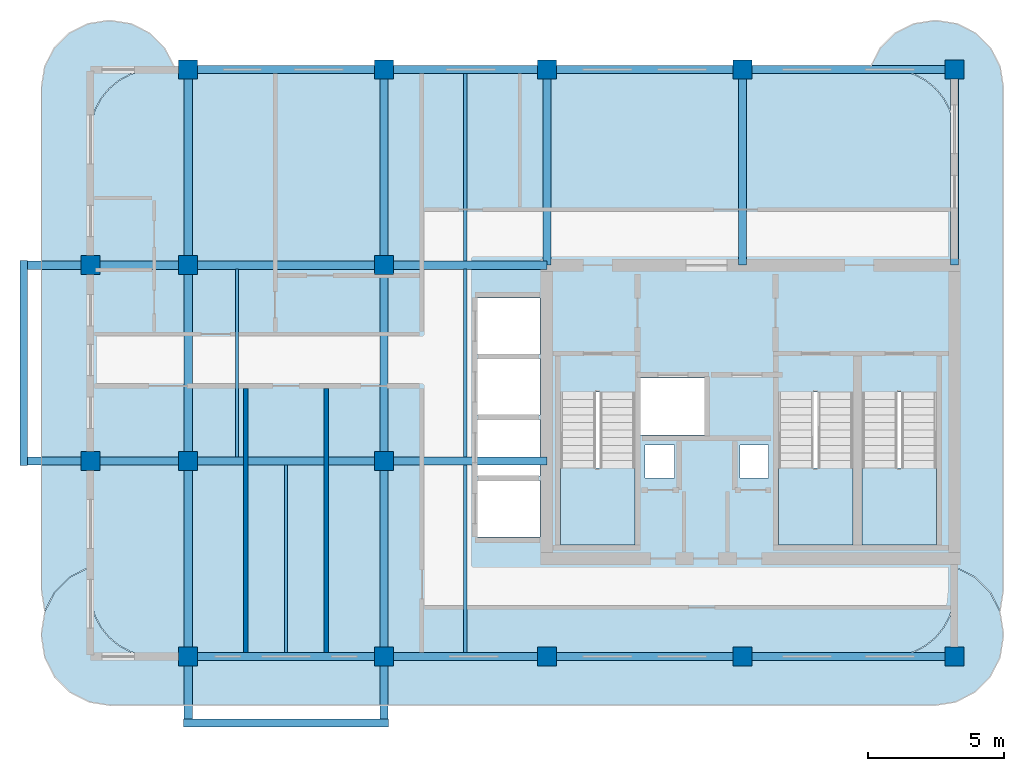
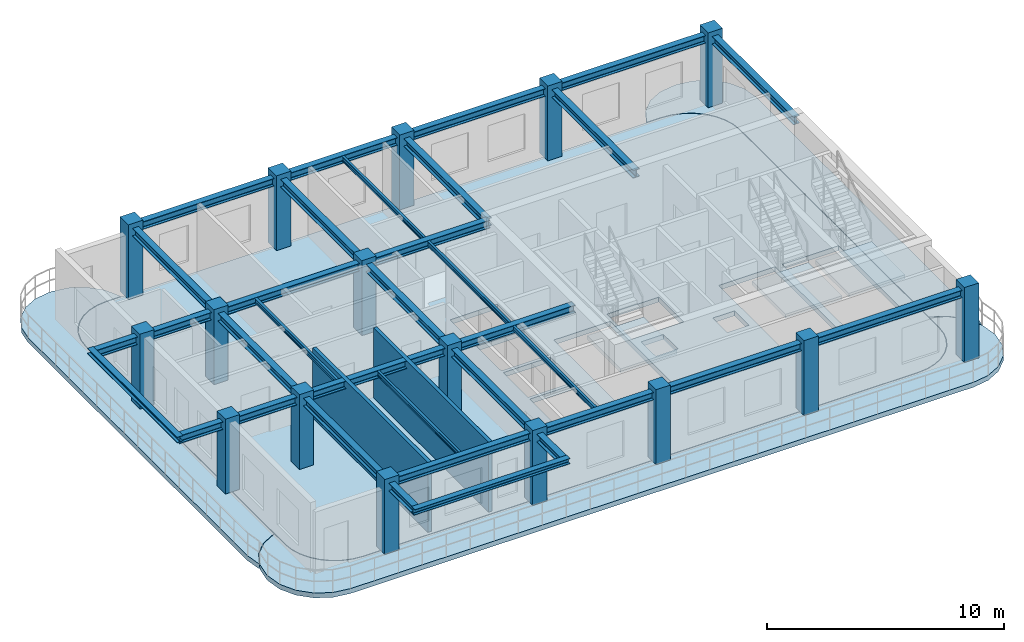
# One storey, part 1 of 7: 28 beams, 16 columns, 7 slabs, 2 walls, 3 elements without a shape of their own.
"""IFC4 building model written with IfcOpenShell, lengths in metres."""

from ifc_helpers import new_model, si_unit, derived_unit, direction, frame, frame_2d, origin, origin_2d, place, context, subcontext, project, spatial, polyline, rectangle, i_section, outline, extrude, source, transform, mapped, material, layer, layer_set, material_profile, profile_set, type_object, type_shapes, element, aggregate, save


model = new_model("IFC4")

# Units and contexts
model_context = context("Model", 3, precision=1e-05, world=origin(), true_north=direction((0.0, 1.0)))
body_context = subcontext(model_context, "Body", "Model", "MODEL_VIEW")
ifc_project = project(units=[si_unit("LENGTHUNIT", "METRE"), si_unit("AREAUNIT", "SQUARE_METRE"), si_unit("VOLUMEUNIT", "CUBIC_METRE"), si_unit("PLANEANGLEUNIT", "RADIAN"), si_unit("MASSUNIT", "GRAM", prefix="KILO"), si_unit("THERMODYNAMICTEMPERATUREUNIT", "KELVIN"), si_unit("POWERUNIT", "WATT"), derived_unit("THERMALTRANSMITTANCEUNIT", [(si_unit("POWERUNIT", "WATT"), 1), (si_unit("AREAUNIT", "SQUARE_METRE"), -1), (si_unit("THERMODYNAMICTEMPERATUREUNIT", "KELVIN"), -1)])], contexts=[model_context])

# Site, building, storey
site_placement = place(None, origin())
site = spatial("IfcSite", under=ifc_project, at=site_placement, CompositionType="ELEMENT")
building_placement = place(site_placement, origin())
building = spatial("IfcBuilding", under=site, at=building_placement, Name="Zahravan Archway Hotel and Residences", CompositionType="ELEMENT")
storey_placement = place(building_placement, frame((0.0, 0.0, 282.75)))
storey = spatial("IfcBuildingStorey", under=building, at=storey_placement, Name="L71", CompositionType="ELEMENT", Elevation=282.75)

# Columns
ifc_material_1 = material(Name="Concrete C50/60", Category="concrete")
ifc_material_profile_1 = material_profile(ifc_material_1, rectangle(XDim=0.699951171875, YDim=0.699951171875, at=origin_2d()), Name="RC-COL-700x700", Category="concrete")
ifc_profile_set_1 = profile_set([ifc_material_profile_1], Name="Concrete C50/60")
column_type = type_object("IfcColumnType", Name="COL-RC-700", PredefinedType="COLUMN", material=ifc_profile_set_1)
shared_shape_1 = source(origin(), body_context, "Body", "SweptSolid", [
    extrude(rectangle(XDim=0.699951171875, YDim=0.699951171875, at=origin_2d()), origin(), (0.0, 0.0, 1.0), 3.85009765625),
])
for number, where, z_axis, x_axis, name in (
    (1, (21.60009765625, 0.0, 0.0), (0.0, 0.0, 1.0), (1.0, 0.0, 0.0), "L71 Column 4-A"),
    (2, (21.60009765625, 7.199951171875, 0.0), (0.0, 0.0, 1.0), (1.0, 0.0, 0.0), "L71 Column 4-B"),
    (3, (21.60009765625, 14.39990234375, 0.0), (0.0, 0.0, 1.0), (1.0, 0.0, 0.0), "L71 Column 4-C"),
    (4, (21.60009765625, 21.60009765625, 0.0), (0.0, 0.0, 1.0), (1.0, 0.0, 0.0), "L71 Column 4-D"),
    (5, (28.800048828125, 0.0, 0.0), (0.0, 0.0, 1.0), (1.0, 0.0, 0.0), "L71 Column 5-A"),
    (6, (28.800048828125, 7.199951171875, 0.0), (0.0, 0.0, 1.0), (1.0, 0.0, 0.0), "L71 Column 5-B"),
    (7, (28.800048828125, 14.39990234375, 0.0), (0.0, 0.0, 1.0), (1.0, 0.0, 0.0), "L71 Column 5-C"),
    (8, (28.800048828125, 21.60009765625, 0.0), (0.0, 0.0, 1.0), (1.0, 0.0, 0.0), "L71 Column 5-D"),
    (9, (34.800048828125, 0.0, 0.0), (0.0, 0.0, 1.0), (1.0, 0.0, 0.0), "L71 Column 6-A"),
    (10, (34.800048828125, 21.60009765625, 0.0), (0.0, 0.0, 1.0), (1.0, 0.0, 0.0), "L71 Column 6-D"),
    (11, (42.0, 0.0, 0.0), (0.0, 0.0, 1.0), (1.0, 0.0, 0.0), "L71 Column 7-A"),
    (12, (42.0, 21.60009765625, 0.0), (0.0, 0.0, 1.0), (1.0, 0.0, 0.0), "L71 Column 7-D"),
    (13, (49.800048828125, 0.0, 0.0), (0.0, 0.0, 1.0), (1.0, 0.0, 0.0), "L71 Column 8-A"),
    (14, (49.800048828125, 21.60009765625, 0.0), (0.0, 0.0, 1.0), (1.0, 0.0, 0.0), "L71 Column 8-D"),
    (15, (18.0, 7.199951171875, 0.0), (0.0, 0.0, 1.0), (1.0, 0.0, 0.0), "L71 Column 3W-B"),
    (16, (18.0, 14.39990234375, 0.0), (0.0, 0.0, 1.0), (1.0, 0.0, 0.0), "L71 Column 3W-C"),
):
    element("IfcColumn", number, at=place(storey_placement, frame(where, z_axis=z_axis, x_axis=x_axis)), inside=storey, type_object=column_type, Name=name, PredefinedType="COLUMN", context=body_context, shape_type="MappedRepresentation", body=[
        mapped(shared_shape_1, transform((0.0, 0.0, 0.0), scale=1.0)),
    ])

# Beams
ifc_material_2 = material(Name="Structural Steel S355JR", Category="steel")
ifc_material_profile_2 = material_profile(ifc_material_2, i_section(OverallWidth=0.280029296875, OverallDepth=0.280029296875, WebThickness=0.010498046875, FlangeThickness=0.01806640625, FilletRadius=0.02392578125, at=origin_2d()), Name="HEB 280", Category="steel")
ifc_profile_set_2 = profile_set([ifc_material_profile_2], Name="Structural Steel S355JR")
beam_type_1 = type_object("IfcBeamType", Name="BM-SPN-HEB280", PredefinedType="SPANDREL", material=ifc_profile_set_2)
shared_shape_2 = source(origin(), body_context, "Body", "SweptSolid", [
    extrude(i_section(OverallWidth=0.280029296875, OverallDepth=0.280029296875, WebThickness=0.010498046875, FlangeThickness=0.01806640625, FilletRadius=0.02392578125, at=origin_2d()), origin(), (0.0, 0.0, 1.0), 7.56005859375),
])
type_shapes(beam_type_1, [shared_shape_2])
for number, where, z_axis, x_axis, name in (
    (17, (15.550048828125, 7.02001953125, 3.4599609375), (0.0, 1.0, 0.0), (-1.0, 0.0, 0.0), "L72 WA Balcony Edge Spandrel"),
    (18, (21.419921875, -2.449951171875, 3.4599609375), (1.0, 0.0, 0.0), (0.0, 1.0, 0.0), "L72 SA Balcony Edge Spandrel"),
):
    element("IfcBeam", number, at=place(storey_placement, frame(where, z_axis=z_axis, x_axis=x_axis)), inside=storey, type_object=beam_type_1, Name=name, PredefinedType="SPANDREL", context=body_context, shape_type="MappedRepresentation", body=[
        mapped(shared_shape_2, transform((0.0, 0.0, 0.0), scale=1.0)),
    ])
ifc_material_profile_3 = material_profile(ifc_material_2, i_section(OverallWidth=0.300048828125, OverallDepth=0.39990234375, WebThickness=0.013427734375, FlangeThickness=0.02392578125, FilletRadius=0.027099609375, at=origin_2d()), Name="HEB 400", Category="steel")
ifc_profile_set_3 = profile_set([ifc_material_profile_3], Name="Structural Steel S355JR")
beam_type_2 = type_object("IfcBeamType", Name="BM-PRI-HEB400", PredefinedType="BEAM", material=ifc_profile_set_3)
shared_shape_3 = source(origin(), body_context, "Body", "SweptSolid", [
    extrude(i_section(OverallWidth=0.300048828125, OverallDepth=0.39990234375, WebThickness=0.013427734375, FlangeThickness=0.02392578125, FilletRadius=0.027099609375, at=origin_2d()), origin(), (0.0, 0.0, 1.0), 7.199951171875),
])
type_shapes(beam_type_2, [shared_shape_3])
for number, where, z_axis, x_axis, name in (
    (19, (21.60009765625, 0.0, 3.39990234375), (1.0, 0.0, 0.0), (0.0, 1.0, 0.0), "L71 Primary Girder EW-01"),
    (20, (34.800048828125, 0.0, 3.39990234375), (1.0, 0.0, 0.0), (0.0, 1.0, 0.0), "L71 Primary Girder EW-03"),
    (21, (21.60009765625, 21.60009765625, 3.39990234375), (1.0, 0.0, 0.0), (0.0, 1.0, 0.0), "L71 Primary Girder EW-09"),
    (22, (34.800048828125, 21.60009765625, 3.39990234375), (1.0, 0.0, 0.0), (0.0, 1.0, 0.0), "L71 Primary Girder EW-11"),
    (23, (21.60009765625, 7.199951171875, 3.39990234375), (0.0, 1.0, 0.0), (-1.0, 0.0, 0.0), "L71 Primary Girder NS-14"),
    (24, (28.800048828125, 7.199951171875, 3.39990234375), (0.0, 1.0, 0.0), (-1.0, 0.0, 0.0), "L71 Primary Girder NS-17"),
):
    element("IfcBeam", number, at=place(storey_placement, frame(where, z_axis=z_axis, x_axis=x_axis)), inside=storey, type_object=beam_type_2, Name=name, PredefinedType="BEAM", context=body_context, shape_type="MappedRepresentation", body=[
        mapped(shared_shape_3, transform((0.0, 0.0, 0.0), scale=1.0)),
    ])
shared_shape_4 = source(origin(), body_context, "Body", "SweptSolid", [
    extrude(i_section(OverallWidth=0.300048828125, OverallDepth=0.39990234375, WebThickness=0.013427734375, FlangeThickness=0.02392578125, FilletRadius=0.027099609375, at=origin_2d()), origin(), (0.0, 0.0, 1.0), 6.0),
])
for number, where, z_axis, x_axis, name in (
    (25, (28.800048828125, 0.0, 3.39990234375), (1.0, 0.0, 0.0), (0.0, 1.0, 0.0), "L71 Primary Girder EW-02"),
    (26, (28.800048828125, 7.199951171875, 3.39990234375), (1.0, 0.0, 0.0), (0.0, 1.0, 0.0), "L71 Primary Girder EW-06"),
    (27, (28.800048828125, 14.39990234375, 3.39990234375), (1.0, 0.0, 0.0), (0.0, 1.0, 0.0), "L71 Primary Girder EW-08"),
    (28, (28.800048828125, 21.60009765625, 3.39990234375), (1.0, 0.0, 0.0), (0.0, 1.0, 0.0), "L71 Primary Girder EW-10"),
):
    element("IfcBeam", number, at=place(storey_placement, frame(where, z_axis=z_axis, x_axis=x_axis)), inside=storey, type_object=beam_type_2, Name=name, PredefinedType="BEAM", context=body_context, shape_type="MappedRepresentation", body=[
        mapped(shared_shape_4, transform((0.0, 0.0, 0.0), scale=1.0)),
    ])
shared_shape_5 = source(origin(), body_context, "Body", "SweptSolid", [
    extrude(i_section(OverallWidth=0.300048828125, OverallDepth=0.39990234375, WebThickness=0.013427734375, FlangeThickness=0.02392578125, FilletRadius=0.027099609375, at=origin_2d()), origin(), (0.0, 0.0, 1.0), 7.800048828125),
])
for number, where, z_axis, x_axis, name in (
    (29, (42.0, 0.0, 3.39990234375), (1.0, 0.0, 0.0), (0.0, 1.0, 0.0), "L71 Primary Girder EW-04"),
    (30, (42.0, 21.60009765625, 3.39990234375), (1.0, 0.0, 0.0), (0.0, 1.0, 0.0), "L71 Primary Girder EW-12"),
):
    element("IfcBeam", number, at=place(storey_placement, frame(where, z_axis=z_axis, x_axis=x_axis)), inside=storey, type_object=beam_type_2, Name=name, PredefinedType="BEAM", context=body_context, shape_type="MappedRepresentation", body=[
        mapped(shared_shape_5, transform((0.0, 0.0, 0.0), scale=1.0)),
    ])
shared_shape_6 = source(origin(), body_context, "Body", "SweptSolid", [
    extrude(i_section(OverallWidth=0.300048828125, OverallDepth=0.39990234375, WebThickness=0.013427734375, FlangeThickness=0.02392578125, FilletRadius=0.027099609375, at=origin_2d()), origin(), (0.0, 0.0, 1.0), 13.25),
])
for number, where, z_axis, x_axis, name in (
    (31, (15.550048828125, 7.199951171875, 3.39990234375), (1.0, 0.0, 0.0), (0.0, 1.0, 0.0), "L71 Primary Girder EW-05"),
    (32, (15.550048828125, 14.39990234375, 3.39990234375), (1.0, 0.0, 0.0), (0.0, 1.0, 0.0), "L71 Primary Girder EW-07"),
):
    element("IfcBeam", number, at=place(storey_placement, frame(where, z_axis=z_axis, x_axis=x_axis)), inside=storey, type_object=beam_type_2, Name=name, PredefinedType="BEAM", context=body_context, shape_type="MappedRepresentation", body=[
        mapped(shared_shape_6, transform((0.0, 0.0, 0.0), scale=1.0)),
    ])
shared_shape_7 = source(origin(), body_context, "Body", "SweptSolid", [
    extrude(i_section(OverallWidth=0.300048828125, OverallDepth=0.39990234375, WebThickness=0.013427734375, FlangeThickness=0.02392578125, FilletRadius=0.027099609375, at=origin_2d()), origin(), (0.0, 0.0, 1.0), 9.64990234375),
])
for number, where, z_axis, x_axis, name in (
    (33, (21.60009765625, -2.449951171875, 3.39990234375), (0.0, 1.0, 0.0), (-1.0, 0.0, 0.0), "L71 Primary Girder NS-13"),
    (34, (28.800048828125, -2.449951171875, 3.39990234375), (0.0, 1.0, 0.0), (-1.0, 0.0, 0.0), "L71 Primary Girder NS-16"),
):
    element("IfcBeam", number, at=place(storey_placement, frame(where, z_axis=z_axis, x_axis=x_axis)), inside=storey, type_object=beam_type_2, Name=name, PredefinedType="BEAM", context=body_context, shape_type="MappedRepresentation", body=[
        mapped(shared_shape_7, transform((0.0, 0.0, 0.0), scale=1.0)),
    ])
shared_shape_8 = source(origin(), body_context, "Body", "SweptSolid", [
    extrude(i_section(OverallWidth=0.300048828125, OverallDepth=0.39990234375, WebThickness=0.013427734375, FlangeThickness=0.02392578125, FilletRadius=0.027099609375, at=origin_2d()), origin(), (0.0, 0.0, 1.0), 7.2001953125),
])
for number, where, z_axis, x_axis, name in (
    (35, (21.60009765625, 14.39990234375, 3.39990234375), (0.0, 1.0, 0.0), (-1.0, 0.0, 0.0), "L71 Primary Girder NS-15"),
    (36, (28.800048828125, 14.39990234375, 3.39990234375), (0.0, 1.0, 0.0), (-1.0, 0.0, 0.0), "L71 Primary Girder NS-18"),
    (37, (34.800048828125, 14.39990234375, 3.39990234375), (0.0, 1.0, 0.0), (-1.0, 0.0, 0.0), "L71 Primary Girder NS-19"),
    (38, (42.0, 14.39990234375, 3.39990234375), (0.0, 1.0, 0.0), (-1.0, 0.0, 0.0), "L71 Primary Girder NS-20"),
    (39, (49.800048828125, 14.39990234375, 3.39990234375), (0.0, 1.0, 0.0), (-1.0, 0.0, 0.0), "L71 Primary Girder NS-21"),
):
    element("IfcBeam", number, at=place(storey_placement, frame(where, z_axis=z_axis, x_axis=x_axis)), inside=storey, type_object=beam_type_2, Name=name, PredefinedType="BEAM", context=body_context, shape_type="MappedRepresentation", body=[
        mapped(shared_shape_8, transform((0.0, 0.0, 0.0), scale=1.0)),
    ])
ifc_material_profile_4 = material_profile(ifc_material_2, i_section(OverallWidth=0.1201171875, OverallDepth=0.239990234375, WebThickness=0.006103515625, FlangeThickness=0.009765625, FilletRadius=0.014892578125, at=origin_2d()), Name="IPE 240", Category="steel")
ifc_profile_set_4 = profile_set([ifc_material_profile_4], Name="Structural Steel S355JR")
beam_type_3 = type_object("IfcBeamType", Name="BM-JST-IPE240", PredefinedType="JOIST", material=ifc_profile_set_4)
shared_shape_9 = source(origin(), body_context, "Body", "SweptSolid", [
    extrude(i_section(OverallWidth=0.1201171875, OverallDepth=0.239990234375, WebThickness=0.006103515625, FlangeThickness=0.009765625, FilletRadius=0.014892578125, at=origin_2d()), origin(), (0.0, 0.0, 1.0), 6.904052734375),
])
type_shapes(beam_type_3, [shared_shape_9])
for number, where, z_axis, x_axis, name in (
    (40, (25.199951171875, 0.14794921875, 3.47998046875), (0.0, 1.0, 0.0), (-1.0, 0.0, 0.0), "L71 Composite Floor Joist 01"),
    (41, (31.800048828125, 0.14794921875, 3.47998046875), (0.0, 1.0, 0.0), (-1.0, 0.0, 0.0), "L71 Composite Floor Joist 02"),
    (42, (23.39990234375, 7.347900390625, 3.47998046875), (0.0, 1.0, 0.0), (-1.0, 0.0, 0.0), "L71 Composite Floor Joist 03"),
    (43, (31.800048828125, 7.347900390625, 3.47998046875), (0.0, 1.0, 0.0), (-1.0, 0.0, 0.0), "L71 Composite Floor Joist 04"),
):
    element("IfcBeam", number, at=place(storey_placement, frame(where, z_axis=z_axis, x_axis=x_axis)), inside=storey, type_object=beam_type_3, Name=name, PredefinedType="JOIST", context=body_context, shape_type="MappedRepresentation", body=[
        mapped(shared_shape_9, transform((0.0, 0.0, 0.0), scale=1.0)),
    ])
shared_shape_10 = source(origin(), body_context, "Body", "SweptSolid", [
    extrude(i_section(OverallWidth=0.1201171875, OverallDepth=0.239990234375, WebThickness=0.006103515625, FlangeThickness=0.009765625, FilletRadius=0.014892578125, at=origin_2d()), origin(), (0.0, 0.0, 1.0), 6.90380859375),
])
beam_placement = place(storey_placement, frame((31.800048828125, 14.548095703125, 3.47998046875), z_axis=(0.0, 1.0, 0.0), x_axis=(-1.0, 0.0, 0.0)))
element("IfcBeam", 44, at=beam_placement, inside=storey, type_object=beam_type_3, Name="L71 Composite Floor Joist 05", PredefinedType="JOIST", context=body_context, shape_type="MappedRepresentation", body=[
    mapped(shared_shape_10, transform((0.0, 0.0, 0.0), scale=1.0)),
])

# Slabs
ifc_material_3 = material(Name="Concrete C45/55", Category="concrete")
ifc_layer_1 = layer(ifc_material_3, 0.25, Name="Concrete C45/55", Category="concrete")
ifc_layer_set_1 = layer_set([ifc_layer_1], Name="Concrete C45/55")
slab_type_1 = type_object("IfcSlabType", Name="SLB-BALC-250", PredefinedType="FLOOR", material=ifc_layer_set_1)
slab_1_placement = place(storey_placement, frame((0.0, 0.0, -0.25)))
element("IfcSlab", 45, at=slab_1_placement, inside=storey, type_object=slab_type_1, Name="L71 Wing A South Rounded Balcony Band", PredefinedType="FLOOR", context=body_context, shape_type="SweptSolid", body=[
    extrude(outline(polyline([(49.837890625, 3.275146484375), (50.548828125, 2.9130859375), (51.113037109375, 2.348876953125), (51.47509765625, 1.637939453125), (51.60009765625, 0.85009765625), (51.60009765625, 0.75), (51.47509765625, -0.0380859375), (51.113037109375, -0.748779296875), (50.548828125, -1.31298828125), (49.837890625, -1.67529296875), (49.050048828125, -1.800048828125), (18.75, -1.800048828125), (17.9619140625, -1.67529296875), (17.251220703125, -1.31298828125), (16.68701171875, -0.748779296875), (16.32470703125, -0.0380859375), (16.199951171875, 0.75), (16.199951171875, 0.85009765625), (16.32470703125, 1.637939453125), (16.68701171875, 2.348876953125), (17.251220703125, 2.9130859375), (17.9619140625, 3.275146484375), (17.97998046875, 3.278076171875), (17.97998046875, 2.39990234375), (17.97998046875, 2.39794921875), (18.026123046875, 1.9296875), (18.026611328125, 1.927978515625), (18.027099609375, 1.926025390625), (18.16357421875, 1.475830078125), (18.164306640625, 1.473876953125), (18.1650390625, 1.47216796875), (18.386962890625, 1.05712890625), (18.387939453125, 1.055419921875), (18.388916015625, 1.053955078125), (18.6875, 0.690185546875), (18.688720703125, 0.688720703125), (18.690185546875, 0.6875), (19.053955078125, 0.388916015625), (19.055419921875, 0.387939453125), (19.05712890625, 0.386962890625), (19.47216796875, 0.1650390625), (19.473876953125, 0.164306640625), (19.475830078125, 0.16357421875), (19.926025390625, 0.027099609375), (19.927978515625, 0.026611328125), (19.9296875, 0.026123046875), (20.39794921875, -0.02001953125), (20.39990234375, -0.02001953125), (47.39990234375, -0.02001953125), (47.402099609375, -0.02001953125), (47.8701171875, 0.026123046875), (47.8720703125, 0.026611328125), (47.8740234375, 0.027099609375), (48.32421875, 0.16357421875), (48.326171875, 0.164306640625), (48.327880859375, 0.1650390625), (48.742919921875, 0.386962890625), (48.744384765625, 0.387939453125), (48.74609375, 0.388916015625), (49.10986328125, 0.6875), (49.111083984375, 0.688720703125), (49.112548828125, 0.690185546875), (49.410888671875, 1.053955078125), (49.412109375, 1.055419921875), (49.4130859375, 1.05712890625), (49.635009765625, 1.47216796875), (49.6357421875, 1.473876953125), (49.636474609375, 1.475830078125), (49.77294921875, 1.926025390625), (49.7734375, 1.927978515625), (49.773681640625, 1.9296875), (49.81982421875, 2.39794921875), (49.820068359375, 2.39990234375), (49.820068359375, 3.278076171875), (49.837890625, 3.275146484375)])), origin(), (0.0, 0.0, 1.0), 0.25),
])
slab_2_placement = place(storey_placement, frame((0.0, 0.0, -0.25)))
element("IfcSlab", 46, at=slab_2_placement, inside=storey, type_object=slab_type_1, Name="L71 Wing A East Rounded Balcony Band", PredefinedType="FLOOR", context=body_context, shape_type="SweptSolid", body=[
    extrude(outline(polyline([(46.719970703125, 21.70703125), (47.06787109375, 22.39013671875), (47.60986328125, 22.93212890625), (48.29296875, 23.280029296875), (49.050048828125, 23.39990234375), (49.14990234375, 23.39990234375), (49.906982421875, 23.280029296875), (50.590087890625, 22.93212890625), (51.132080078125, 22.39013671875), (51.47998046875, 21.70703125), (51.60009765625, 20.949951171875), (51.60009765625, 2.449951171875), (51.47998046875, 1.69287109375), (51.474853515625, 1.6826171875), (51.130859375, 2.35791015625), (51.1298828125, 2.35986328125), (51.12841796875, 2.361572265625), (51.127197265625, 2.363037109375), (50.56298828125, 2.927001953125), (50.5615234375, 2.928466796875), (50.559814453125, 2.9296875), (50.55810546875, 2.930908203125), (49.84716796875, 3.29296875), (49.84521484375, 3.2939453125), (49.84326171875, 3.29443359375), (49.841064453125, 3.294921875), (49.822998046875, 3.2978515625), (49.8212890625, 3.298095703125), (49.820068359375, 3.298095703125), (49.820068359375, 19.199951171875), (49.81982421875, 19.201904296875), (49.773681640625, 19.670166015625), (49.7734375, 19.672119140625), (49.77294921875, 19.674072265625), (49.636474609375, 20.124267578125), (49.6357421875, 20.126220703125), (49.635009765625, 20.127685546875), (49.4130859375, 20.542724609375), (49.412109375, 20.54443359375), (49.410888671875, 20.546142578125), (49.112548828125, 20.909912109375), (49.111083984375, 20.9111328125), (49.10986328125, 20.91259765625), (48.74609375, 21.2109375), (48.744384765625, 21.212158203125), (48.742919921875, 21.213134765625), (48.327880859375, 21.434814453125), (48.326171875, 21.435791015625), (48.32421875, 21.436279296875), (47.8740234375, 21.572998046875), (47.8720703125, 21.573486328125), (47.8701171875, 21.57373046875), (47.402099609375, 21.619873046875), (47.39990234375, 21.6201171875), (46.7060546875, 21.6201171875), (46.719970703125, 21.70703125)])), origin(), (0.0, 0.0, 1.0), 0.25),
])
slab_3_placement = place(storey_placement, frame((0.0, 0.0, -0.25)))
element("IfcSlab", 47, at=slab_3_placement, inside=storey, type_object=slab_type_1, Name="L71 Wing A West Rounded Balcony Band", PredefinedType="FLOOR", context=body_context, shape_type="SweptSolid", body=[
    extrude(outline(polyline([(16.31982421875, 1.69287109375), (16.199951171875, 2.449951171875), (16.199951171875, 20.949951171875), (16.31982421875, 21.70703125), (16.66796875, 22.39013671875), (17.2099609375, 22.93212890625), (17.892822265625, 23.280029296875), (18.64990234375, 23.39990234375), (18.75, 23.39990234375), (19.507080078125, 23.280029296875), (20.190185546875, 22.93212890625), (20.732177734375, 22.39013671875), (21.080078125, 21.70703125), (21.093994140625, 21.6201171875), (20.39990234375, 21.6201171875), (20.39794921875, 21.619873046875), (19.9296875, 21.57373046875), (19.927978515625, 21.573486328125), (19.926025390625, 21.572998046875), (19.475830078125, 21.436279296875), (19.473876953125, 21.435791015625), (19.47216796875, 21.434814453125), (19.05712890625, 21.213134765625), (19.055419921875, 21.212158203125), (19.053955078125, 21.2109375), (18.690185546875, 20.91259765625), (18.688720703125, 20.9111328125), (18.6875, 20.909912109375), (18.388916015625, 20.546142578125), (18.387939453125, 20.54443359375), (18.386962890625, 20.542724609375), (18.1650390625, 20.127685546875), (18.164306640625, 20.126220703125), (18.16357421875, 20.124267578125), (18.027099609375, 19.674072265625), (18.026611328125, 19.672119140625), (18.026123046875, 19.670166015625), (17.97998046875, 19.201904296875), (17.97998046875, 19.199951171875), (17.97998046875, 3.298095703125), (17.978759765625, 3.298095703125), (17.976806640625, 3.2978515625), (17.958984375, 3.294921875), (17.956787109375, 3.29443359375), (17.954833984375, 3.2939453125), (17.952880859375, 3.29296875), (17.241943359375, 2.930908203125), (17.240234375, 2.9296875), (17.238525390625, 2.928466796875), (17.237060546875, 2.927001953125), (16.6728515625, 2.363037109375), (16.67138671875, 2.361572265625), (16.670166015625, 2.35986328125), (16.669189453125, 2.35791015625), (16.3251953125, 1.6826171875), (16.31982421875, 1.69287109375)])), origin(), (0.0, 0.0, 1.0), 0.25),
])
ifc_layer_2 = layer(ifc_material_3, 0.25, Name="Concrete C45/55", Category="concrete")
ifc_layer_set_2 = layer_set([ifc_layer_2], Name="Concrete C45/55")
slab_type_2 = type_object("IfcSlabType", Name="SLB-FLR-250", PredefinedType="FLOOR", material=ifc_layer_set_2)
slab_4_placement = place(storey_placement, frame((0.0, 0.0, -0.25)))
element("IfcSlab", 48, at=slab_4_placement, inside=storey, type_object=slab_type_2, Name="L71 Floor Slab WA", PredefinedType="FLOOR", context=body_context, shape_type="SweptSolid", body=[
    extrude(outline(polyline([(47.39990234375, 0.0), (47.8681640625, 0.046142578125), (48.318359375, 0.1826171875), (48.7333984375, 0.404541015625), (49.09716796875, 0.702880859375), (49.3955078125, 1.066650390625), (49.6171875, 1.481689453125), (49.75390625, 1.931884765625), (49.800048828125, 2.39990234375), (49.800048828125, 19.199951171875), (49.75390625, 19.668212890625), (49.6171875, 20.118408203125), (49.3955078125, 20.533447265625), (49.09716796875, 20.897216796875), (48.7333984375, 21.195556640625), (48.318359375, 21.417236328125), (47.8681640625, 21.553955078125), (47.39990234375, 21.60009765625), (20.39990234375, 21.60009765625), (19.931884765625, 21.553955078125), (19.481689453125, 21.417236328125), (19.066650390625, 21.195556640625), (18.702880859375, 20.897216796875), (18.404541015625, 20.533447265625), (18.1826171875, 20.118408203125), (18.046142578125, 19.668212890625), (18.0, 19.199951171875), (18.0, 2.39990234375), (18.046142578125, 1.931884765625), (18.1826171875, 1.481689453125), (18.404541015625, 1.066650390625), (18.702880859375, 0.702880859375), (19.066650390625, 0.404541015625), (19.481689453125, 0.1826171875), (19.931884765625, 0.046142578125), (20.39990234375, 0.0), (47.39990234375, 0.0)]), holes=[polyline([(35.300048828125, 9.72998046875), (35.300048828125, 4.10009765625), (38.0400390625, 4.10009765625), (38.0400390625, 9.72998046875), (35.300048828125, 9.72998046875)]), polyline([(43.320068359375, 9.72998046875), (43.320068359375, 4.10009765625), (46.06005859375, 4.10009765625), (46.06005859375, 9.72998046875), (43.320068359375, 9.72998046875)]), polyline([(46.39990234375, 9.72998046875), (46.39990234375, 4.10009765625), (49.139892578125, 4.10009765625), (49.139892578125, 9.72998046875), (46.39990234375, 9.72998046875)]), polyline([(38.179931640625, 8.14990234375), (40.699951171875, 8.14990234375), (40.699951171875, 10.25), (38.179931640625, 10.25), (38.179931640625, 8.14990234375)]), polyline([(32.25, 4.39990234375), (34.550048828125, 4.39990234375), (34.550048828125, 6.47998046875), (32.25, 6.47998046875), (32.25, 4.39990234375)]), polyline([(32.25, 6.639892578125), (34.550048828125, 6.639892578125), (34.550048828125, 8.719970703125), (32.25, 8.719970703125), (32.25, 6.639892578125)]), polyline([(32.25, 8.8798828125), (34.550048828125, 8.8798828125), (34.550048828125, 10.9599609375), (32.25, 10.9599609375), (32.25, 8.8798828125)]), polyline([(32.25, 11.1201171875), (34.550048828125, 11.1201171875), (34.550048828125, 13.199951171875), (32.25, 13.199951171875), (32.25, 11.1201171875)]), polyline([(38.419921875, 6.56005859375), (39.5, 6.56005859375), (39.5, 7.780029296875), (38.419921875, 7.780029296875), (38.419921875, 6.56005859375)]), polyline([(41.89990234375, 6.56005859375), (42.9599609375, 6.56005859375), (42.9599609375, 7.780029296875), (41.89990234375, 7.780029296875), (41.89990234375, 6.56005859375)])]), origin(), (0.0, 0.0, 1.0), 0.25),
])

# Stair, slab
stair_type = type_object("IfcStairType", Name="STR-CORE-1300", PredefinedType="HALF_TURN_STAIR", material=ifc_material_1)
stair_1_placement = place(storey_placement, origin())
stair_1 = element("IfcStair", 49, at=stair_1_placement, inside=storey, type_object=stair_type, Name="L71 Core A Exit Stair 1", PredefinedType="HALF_TURN_STAIR")
ifc_layer_3 = layer(ifc_material_1, 0.199951171875, Name="Concrete C50/60", Category="concrete")
ifc_layer_set_3 = layer_set([ifc_layer_3], Name="Concrete C50/60")
slab_type_3 = type_object("IfcSlabType", Name="SLB-LND-200", PredefinedType="LANDING", material=ifc_layer_set_3)
slab_5_placement = place(storey_placement, frame((0.0, 0.0, 1.72509765625)))
slab_5 = element("IfcSlab", 50, at=slab_5_placement, type_object=slab_type_3, Name="ST-A1 landing 1", PredefinedType="LANDING", context=body_context, shape_type="SweptSolid", body=[
    extrude(outline(polyline([(35.300048828125, 6.929931640625), (35.300048828125, 4.10009765625), (38.0400390625, 4.10009765625), (38.0400390625, 6.929931640625), (35.300048828125, 6.929931640625)])), origin(), (0.0, 0.0, 1.0), 0.199951171875),
])
aggregate(stair_1, [slab_5])

stair_2_placement = place(storey_placement, origin())
stair_2 = element("IfcStair", 51, at=stair_2_placement, inside=storey, type_object=stair_type, Name="L71 Core A Exit Stair 2", PredefinedType="HALF_TURN_STAIR")
slab_6_placement = place(storey_placement, frame((0.0, 0.0, 1.72509765625)))
slab_6 = element("IfcSlab", 52, at=slab_6_placement, type_object=slab_type_3, Name="ST-A2 landing 1", PredefinedType="LANDING", context=body_context, shape_type="SweptSolid", body=[
    extrude(outline(polyline([(43.320068359375, 6.929931640625), (43.320068359375, 4.10009765625), (46.06005859375, 4.10009765625), (46.06005859375, 6.929931640625), (43.320068359375, 6.929931640625)])), origin(), (0.0, 0.0, 1.0), 0.199951171875),
])
aggregate(stair_2, [slab_6])

stair_3_placement = place(storey_placement, origin())
stair_3 = element("IfcStair", 53, at=stair_3_placement, inside=storey, type_object=stair_type, Name="L71 Core A Exit Stair 3", PredefinedType="HALF_TURN_STAIR")
slab_7_placement = place(storey_placement, frame((0.0, 0.0, 1.72509765625)))
slab_7 = element("IfcSlab", 54, at=slab_7_placement, type_object=slab_type_3, Name="ST-A3 landing 1", PredefinedType="LANDING", context=body_context, shape_type="SweptSolid", body=[
    extrude(outline(polyline([(46.39990234375, 6.929931640625), (46.39990234375, 4.10009765625), (49.139892578125, 4.10009765625), (49.139892578125, 6.929931640625), (46.39990234375, 6.929931640625)])), origin(), (0.0, 0.0, 1.0), 0.199951171875),
])
aggregate(stair_3, [slab_7])

# Walls
ifc_material_4 = material(Name="Acoustic Stud Partition")
ifc_layer_4 = layer(ifc_material_4, 0.169921875, Name="Acoustic Stud Partition")
ifc_layer_set_4 = layer_set([ifc_layer_4], Name="Acoustic Stud Partition")
wall_type = type_object("IfcWallType", Name="PW-UNIT-170", PredefinedType="PARTITIONING", material=ifc_layer_set_4)
for number, where, z_axis, x_axis, name in (
    (55, (23.719970703125, 0.14794921875, 0.0), (0.0, 0.0, 1.0), (0.0, 1.0, 0.0), "L71 Partition WAS-SBK3A"),
    (56, (26.679931640625, 0.14794921875, 0.0), (0.0, 0.0, 1.0), (0.0, 1.0, 0.0), "L71 Partition WAS-SBK3B"),
):
    element("IfcWall", number, at=place(storey_placement, frame(where, z_axis=z_axis, x_axis=x_axis)), inside=storey, type_object=wall_type, Name=name, PredefinedType="PARTITIONING", context=body_context, shape_type="SweptSolid", body=[
        extrude(rectangle(XDim=9.712158203125, YDim=0.169921875, at=frame_2d((4.85595703125, 0.0))), origin(), (0.0, 0.0, 1.0), 3.60009765625),
    ])

save(model, "model.ifc")
